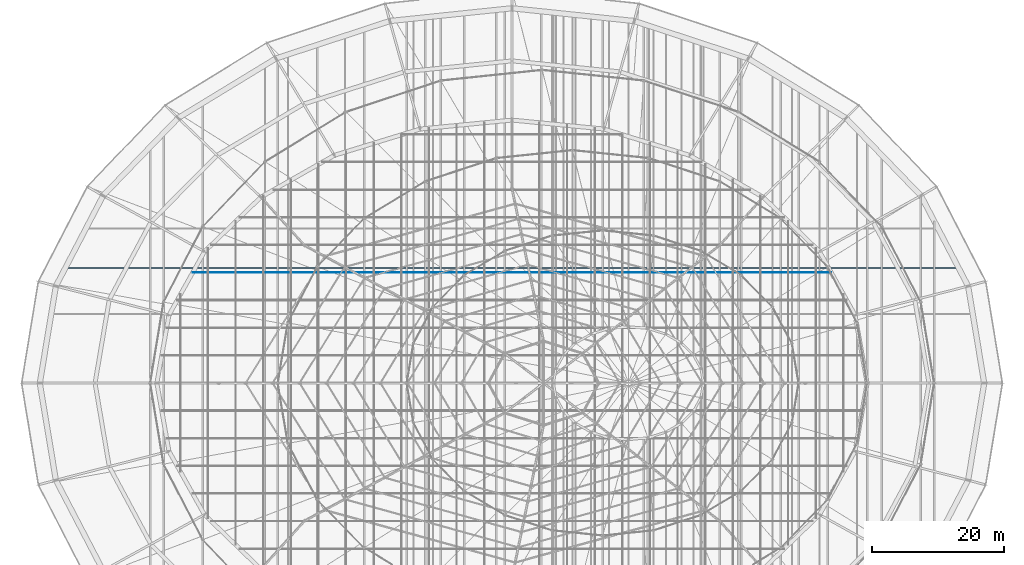
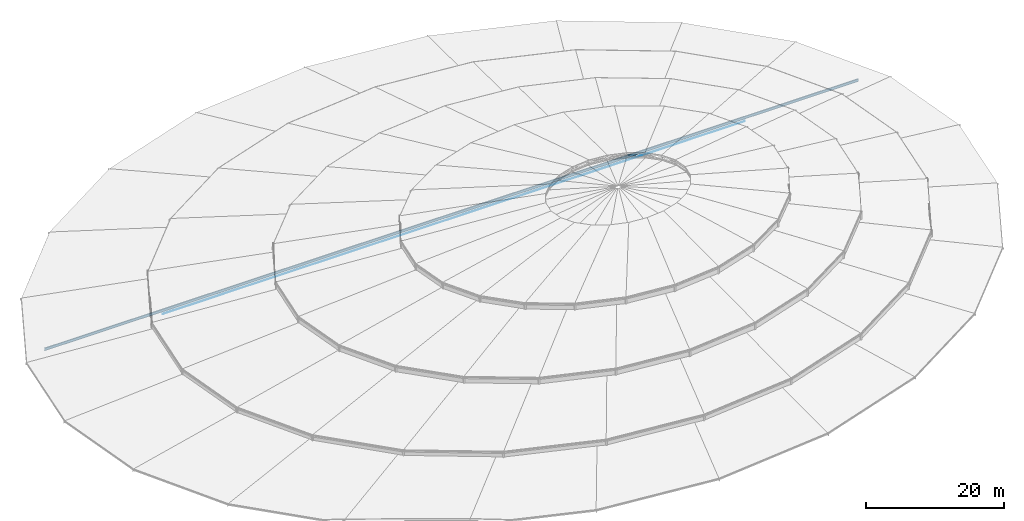
# One storey, part 109 of 184: 2 members.
"""IFC4 building model written with IfcOpenShell, lengths in metres."""

from ifc_helpers import new_model, si_unit, direction, frame, origin, origin_2d, place, context, subcontext, project, spatial, circle, i_section, extrude, material, material_profile, profile_set, type_object, element, save


model = new_model("IFC4")

# Units and contexts
model_context = context("Model", 3, precision=1e-05, world=origin(), true_north=direction((0.0, 1.0)))
body_context = subcontext(model_context, "Body", "Model", "MODEL_VIEW")
ifc_project = project(units=[si_unit("LENGTHUNIT", "METRE"), si_unit("AREAUNIT", "SQUARE_METRE"), si_unit("VOLUMEUNIT", "CUBIC_METRE"), si_unit("PLANEANGLEUNIT", "RADIAN"), si_unit("MASSUNIT", "GRAM", prefix="KILO")], contexts=[model_context])

# Site, building, storey
site_placement = place(None, origin())
site = spatial("IfcSite", under=ifc_project, at=site_placement, CompositionType="ELEMENT")
building_placement = place(site_placement, origin())
building = spatial("IfcBuilding", under=site, at=building_placement, Name="Kalgoora Escarpment Arena", CompositionType="ELEMENT")
storey_placement = place(building_placement, frame((0.0, 0.0, 27.60009765625)))
storey = spatial("IfcBuildingStorey", under=building, at=storey_placement, Name="Roof Level", CompositionType="ELEMENT", Elevation=27.60009765625)

# Members
ifc_material_1 = material(Name="High-tensile spiral strand steel Grade 450 (350 MPa)", Category="steel")
ifc_material_profile_1 = material_profile(ifc_material_1, circle(Radius=0.035888671875, at=origin_2d()))
ifc_profile_set_1 = profile_set([ifc_material_profile_1], Name="High-tensile spiral strand steel Grade 450 (350 MPa)")
member_type_1 = type_object("IfcMemberType", Name="MEM-CABLE-72", PredefinedType="USERDEFINED", material=ifc_profile_set_1)
member_1_placement = place(storey_placement, frame((43.84521484375, 80.800048828125, -1.25), z_axis=(1.0, 0.0, 0.0), x_axis=(0.0, 1.0, 0.0)))
element("IfcMember", 1, at=member_1_placement, inside=storey, type_object=member_type_1, Name="Roof saddle hanging cable X-13", ObjectType="CABLE", PredefinedType="USERDEFINED", context=body_context, shape_type="SweptSolid", body=[
    extrude(circle(Radius=0.035888671875, at=origin_2d()), origin(), (0.0, 0.0, 1.0), 97.109619140625),
])
ifc_material_2 = material(Name="Structural steel AS/NZS 3679 (300 MPa)", Category="steel")
ifc_material_profile_2 = material_profile(ifc_material_2, i_section(OverallWidth=0.19091796875, OverallDepth=0.4599609375, WebThickness=0.010009765625, FlangeThickness=0.01611328125, at=origin_2d()))
ifc_profile_set_2 = profile_set([ifc_material_profile_2], Name="Structural steel AS/NZS 3679 (300 MPa)")
member_type_2 = type_object("IfcMemberType", Name="MEM-CARRIER-CHORD", PredefinedType="CHORD", material=ifc_profile_set_2)
member_2_placement = place(storey_placement, frame((24.47998046875, 81.5, -1.16015625), z_axis=(1.0, 0.0, 0.0), x_axis=(0.0, 1.0, 0.0)))
element("IfcMember", 2, at=member_2_placement, inside=storey, type_object=member_type_2, Name="Roof east-west truss tie carrier chord C02", PredefinedType="CHORD", context=body_context, shape_type="SweptSolid", body=[
    extrude(i_section(OverallWidth=0.19091796875, OverallDepth=0.4599609375, WebThickness=0.010009765625, FlangeThickness=0.01611328125, at=origin_2d()), origin(), (0.0, 0.0, 1.0), 135.840087890625),
])

save(model, "model.ifc")
